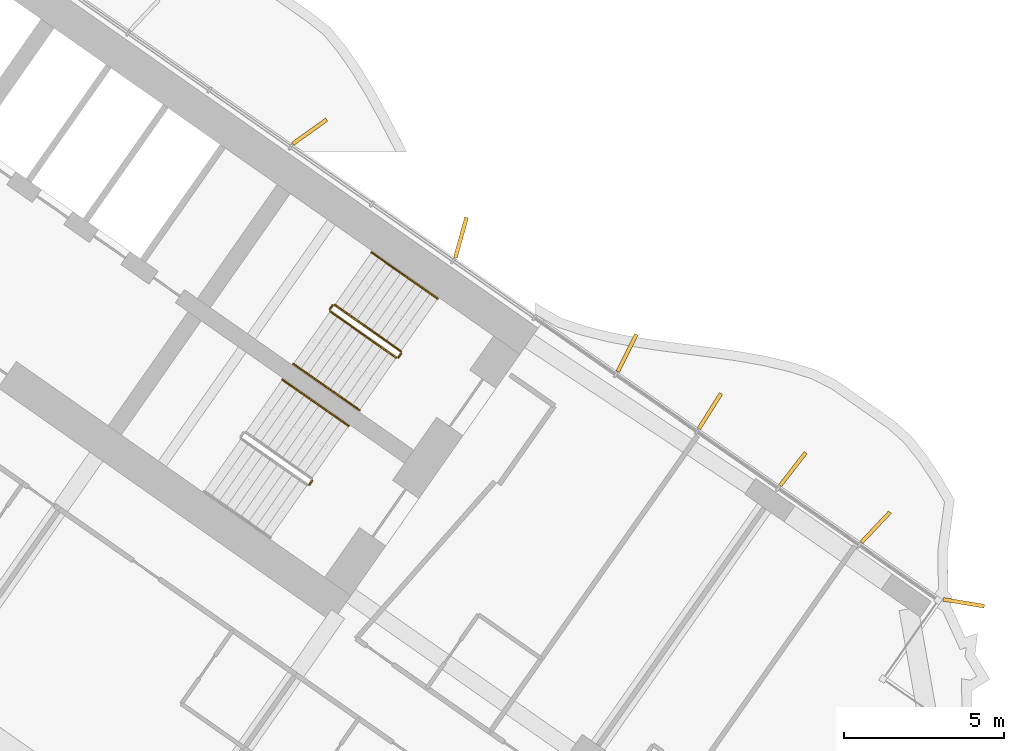
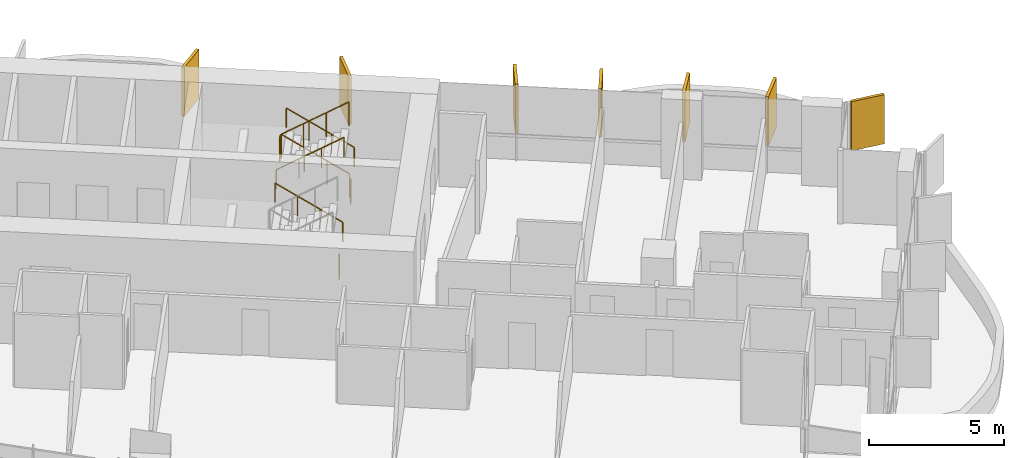
# One storey, part 23 of 23: 8 railings, 7 shading devices.
"""IFC4 building model written with IfcOpenShell, lengths in metres."""

from ifc_helpers import new_model, si_unit, direction, frame, origin, origin_2d, place, context, subcontext, project, spatial, rectangle, circle, extrude, material, layer, layer_set, type_object, element, save


model = new_model("IFC4")

# Units and contexts
model_context = context("Model", 3, precision=1e-05, world=origin(), true_north=direction((0.0, 1.0)))
body_context = subcontext(model_context, "Body", "Model", "MODEL_VIEW")
ifc_project = project(units=[si_unit("LENGTHUNIT", "METRE"), si_unit("AREAUNIT", "SQUARE_METRE"), si_unit("VOLUMEUNIT", "CUBIC_METRE"), si_unit("PLANEANGLEUNIT", "RADIAN"), si_unit("MASSUNIT", "GRAM", prefix="KILO")], contexts=[model_context])

# Site, building, storey
site_placement = place(None, origin())
site = spatial("IfcSite", under=ifc_project, at=site_placement, CompositionType="ELEMENT")
building_placement = place(site_placement, origin())
building = spatial("IfcBuilding", under=site, at=building_placement, Name="Tel Ilan Convention Tower", CompositionType="ELEMENT")
storey_placement = place(building_placement, frame((0.0, 0.0, 94.10009765625)))
storey = spatial("IfcBuildingStorey", under=building, at=storey_placement, Name="L19", CompositionType="ELEMENT", Elevation=94.10009765625)

# Shading devices
ifc_material_1 = material(Name="Aluminium, bronze anodised", Category="aluminium")
ifc_layer = layer(ifc_material_1, 0.1201171875)
ifc_layer_set = layer_set([ifc_layer], Name="FIN BRONZE 1300x120")
shading_device_type = type_object("IfcShadingDeviceType", Name="FIN BRONZE 1300x120", PredefinedType="USERDEFINED", material=ifc_layer_set)
for number, where, z_axis, x_axis, name in (
    (1, (25.5546875, -4.303466796875, 1.10009765625), (0.0, 0.0, 1.0), (0.268172612768, 0.963370878614, 0.0), "FIN"),
    (2, (20.83544921875, -0.9990234375, 1.10009765625), (0.0, 0.0, 1.0), (0.813552070258, 0.581492071294, 0.0), "FIN"),
    (3, (41.251220703125, -15.70703125, 1.10009765625), (0.0, 0.0, 1.0), (0.986445172547, -0.16409119891, 0.0), "FIN"),
    (4, (38.504638671875, -13.347900390625, 1.10009765625), (0.0, 0.0, 1.0), (0.686241637865, 0.727373641577, 0.0), "FIN"),
    (5, (35.91650390625, -11.535400390625, 1.10009765625), (0.0, 0.0, 1.0), (0.612600545196, 0.790392669516, 0.0), "FIN"),
    (6, (33.327880859375, -9.722900390625, 1.10009765625), (0.0, 0.0, 1.0), (0.533204432798, 0.845986425922, 0.0), "FIN"),
    (7, (30.739501953125, -7.91064453125, 1.10009765625), (0.0, 0.0, 1.0), (0.448799180206, 0.893632640321, 0.0), "FIN"),
):
    element("IfcShadingDevice", number, at=place(storey_placement, frame(where, z_axis=z_axis, x_axis=x_axis)), inside=storey, type_object=shading_device_type, Name=name, ObjectType="FIN", PredefinedType="USERDEFINED", context=body_context, shape_type="SweptSolid", body=[
        extrude(rectangle(XDim=1.300048828125, YDim=0.1201171875, at=origin_2d()), origin(), (0.0, 0.0, 1.0), 2.219970703125),
    ])

# Railings
ifc_material_2 = material(Name="Stainless Steel Grade 316", Category="steel")
railing_type_1 = type_object("IfcRailingType", Name="Stainless Steel Stair Guard 1100 mm", PredefinedType="GUARDRAIL", material=ifc_material_2)
railing_1_placement = place(storey_placement, frame((23.6787109375, -7.8515625, 0.179931640625)))
element("IfcRailing", 8, at=railing_1_placement, inside=storey, type_object=railing_type_1, Name="L19 S3 stair guard 1", PredefinedType="GUARDRAIL", context=body_context, shape_type="SweptSolid", body=[
    extrude(circle(Radius=0.02392578125, at=origin_2d()), frame((0.0, 0.0, 1.076171875), z_axis=(-0.689043377453, 0.48253410265, 0.540721798865), x_axis=(-0.573624882958, -0.819118119475, 0.0)), (0.0, 0.0, 1.0), 2.995849609375),
    extrude(circle(Radius=0.02099609375, at=origin_2d()), origin(), (0.0, 0.0, 1.0), 1.052001953125),
    extrude(circle(Radius=0.02099609375, at=origin_2d()), frame((-0.68798828125, 0.48193359375, 0.5400390625)), (0.0, 0.0, 1.0), 1.052001953125),
    extrude(circle(Radius=0.02099609375, at=origin_2d()), frame((-1.376220703125, 0.963623046875, 1.079833984375)), (0.0, 0.0, 1.0), 1.052001953125),
    extrude(circle(Radius=0.02099609375, at=origin_2d()), frame((-2.064208984375, 1.445556640625, 1.619873046875)), (0.0, 0.0, 1.0), 1.052001953125),
])
railing_2_placement = place(storey_placement, frame((21.544921875, -6.41845703125, 1.7998046875)))
element("IfcRailing", 9, at=railing_2_placement, inside=storey, type_object=railing_type_1, Name="L19 S3 stair guard 2", PredefinedType="GUARDRAIL", context=body_context, shape_type="SweptSolid", body=[
    extrude(circle(Radius=0.02392578125, at=origin_2d()), frame((0.0, 0.0, 1.076171875), z_axis=(-0.573353020881, -0.819308436089, 0.0), x_axis=(0.819308436089, -0.573353020881, 0.0)), (0.0, 0.0, 1.0), 0.14990234375),
    extrude(circle(Radius=0.02099609375, at=origin_2d()), origin(), (0.0, 0.0, 1.0), 1.052001953125),
    extrude(circle(Radius=0.02099609375, at=origin_2d()), frame((-0.0859375, -0.122802734375, 0.0)), (0.0, 0.0, 1.0), 1.052001953125),
])
railing_3_placement = place(storey_placement, frame((21.47119140625, -6.61083984375, 1.97998046875)))
element("IfcRailing", 10, at=railing_3_placement, inside=storey, type_object=railing_type_1, Name="L19 S3 stair guard 3", PredefinedType="GUARDRAIL", context=body_context, shape_type="SweptSolid", body=[
    extrude(circle(Radius=0.02392578125, at=origin_2d()), frame((0.0, 0.0, 1.076171875), z_axis=(0.689043377453, -0.48253410265, 0.540721798865), x_axis=(0.573624882958, 0.819118119475, 0.0)), (0.0, 0.0, 1.0), 2.995849609375),
    extrude(circle(Radius=0.02099609375, at=origin_2d()), origin(), (0.0, 0.0, 1.0), 1.052001953125),
    extrude(circle(Radius=0.02099609375, at=origin_2d()), frame((0.68798828125, -0.48193359375, 0.5400390625)), (0.0, 0.0, 1.0), 1.052001953125),
    extrude(circle(Radius=0.02099609375, at=origin_2d()), frame((1.376220703125, -0.963623046875, 1.079833984375)), (0.0, 0.0, 1.0), 1.052001953125),
    extrude(circle(Radius=0.02099609375, at=origin_2d()), frame((2.064208984375, -1.445556640625, 1.619873046875)), (0.0, 0.0, 1.0), 1.052001953125),
])
railing_4_placement = place(storey_placement, frame((23.691162109375, -7.921142578125, 0.0)))
element("IfcRailing", 11, at=railing_4_placement, inside=storey, type_object=railing_type_1, Name="L19 S3 stair guard 4", PredefinedType="GUARDRAIL", context=body_context, shape_type="SweptSolid", body=[
    extrude(circle(Radius=0.02392578125, at=origin_2d()), frame((0.0, 0.0, 1.076171875), z_axis=(-0.574444878118, -0.818543268254, 0.0), x_axis=(0.818543268254, -0.574444878118, 0.0)), (0.0, 0.0, 1.0), 0.150146484375),
    extrude(circle(Radius=0.02099609375, at=origin_2d()), origin(), (0.0, 0.0, 1.0), 1.052001953125),
    extrude(circle(Radius=0.02099609375, at=origin_2d()), frame((-0.086181640625, -0.122802734375, 0.0)), (0.0, 0.0, 1.0), 1.052001953125),
])
railing_5_placement = place(storey_placement, frame((20.9091796875, -11.89404296875, 0.0)))
element("IfcRailing", 12, at=railing_5_placement, inside=storey, type_object=railing_type_1, Name="L19 S4 stair guard 4", PredefinedType="GUARDRAIL", context=body_context, shape_type="SweptSolid", body=[
    extrude(circle(Radius=0.02392578125, at=origin_2d()), frame((0.0, 0.0, 1.076171875), z_axis=(-0.573353020881, -0.819308436089, 0.0), x_axis=(0.819308436089, -0.573353020881, 0.0)), (0.0, 0.0, 1.0), 0.14990234375),
    extrude(circle(Radius=0.02099609375, at=origin_2d()), origin(), (0.0, 0.0, 1.0), 1.052001953125),
    extrude(circle(Radius=0.02099609375, at=origin_2d()), frame((-0.0859375, -0.122802734375, 0.0)), (0.0, 0.0, 1.0), 1.052001953125),
])
ifc_material_3 = material(Name="Stainless Steel Grade 316", Category="steel")
railing_type_2 = type_object("IfcRailingType", Name="Stainless Steel Stair Handrail 900 mm", PredefinedType="HANDRAIL", material=ifc_material_3)
railing_6_placement = place(storey_placement, frame((24.825927734375, -6.213134765625, 0.179931640625)))
element("IfcRailing", 13, at=railing_6_placement, inside=storey, type_object=railing_type_2, Name="L19 S3 stair handrail 1", PredefinedType="HANDRAIL", context=body_context, shape_type="SweptSolid", body=[
    extrude(circle(Radius=0.02392578125, at=origin_2d()), frame((0.0, 0.0, 0.8759765625), z_axis=(-0.68907047291, 0.482471578903, 0.540743061828), x_axis=(-0.573559875649, -0.819163639968, 0.0)), (0.0, 0.0, 1.0), 2.99560546875),
    extrude(circle(Radius=0.02099609375, at=origin_2d()), origin(), (0.0, 0.0, 1.0), 0.851806640625),
    extrude(circle(Radius=0.02099609375, at=origin_2d()), frame((-0.68798828125, 0.481689453125, 0.5400390625)), (0.0, 0.0, 1.0), 0.851806640625),
    extrude(circle(Radius=0.02099609375, at=origin_2d()), frame((-1.376220703125, 0.963623046875, 1.079833984375)), (0.0, 0.0, 1.0), 0.851806640625),
    extrude(circle(Radius=0.02099609375, at=origin_2d()), frame((-2.064208984375, 1.4453125, 1.619873046875)), (0.0, 0.0, 1.0), 0.851806640625),
])
railing_7_placement = place(storey_placement, frame((20.323974609375, -8.249267578125, 1.97998046875)))
element("IfcRailing", 14, at=railing_7_placement, inside=storey, type_object=railing_type_2, Name="L19 S3 stair handrail 2", PredefinedType="HANDRAIL", context=body_context, shape_type="SweptSolid", body=[
    extrude(circle(Radius=0.02392578125, at=origin_2d()), frame((0.0, 0.0, 0.8759765625), z_axis=(0.68907047291, -0.482471578903, 0.540743061828), x_axis=(0.573559875649, 0.819163639968, 0.0)), (0.0, 0.0, 1.0), 2.99560546875),
    extrude(circle(Radius=0.02099609375, at=origin_2d()), origin(), (0.0, 0.0, 1.0), 0.851806640625),
    extrude(circle(Radius=0.02099609375, at=origin_2d()), frame((0.68798828125, -0.481689453125, 0.5400390625)), (0.0, 0.0, 1.0), 0.851806640625),
    extrude(circle(Radius=0.02099609375, at=origin_2d()), frame((1.376220703125, -0.963623046875, 1.079833984375)), (0.0, 0.0, 1.0), 0.851806640625),
    extrude(circle(Radius=0.02099609375, at=origin_2d()), frame((2.064208984375, -1.4453125, 1.619873046875)), (0.0, 0.0, 1.0), 0.851806640625),
])
railing_8_placement = place(storey_placement, frame((22.044189453125, -10.18603515625, 0.179931640625)))
element("IfcRailing", 15, at=railing_8_placement, inside=storey, type_object=railing_type_2, Name="L19 S4 stair handrail 1", PredefinedType="HANDRAIL", context=body_context, shape_type="SweptSolid", body=[
    extrude(circle(Radius=0.02392578125, at=origin_2d()), frame((0.0, 0.0, 0.8759765625), z_axis=(-0.689113270881, 0.482444484817, 0.540712695399), x_axis=(-0.573514357932, -0.81919550856, 0.0)), (0.0, 0.0, 1.0), 2.995849609375),
    extrude(circle(Radius=0.02099609375, at=origin_2d()), origin(), (0.0, 0.0, 1.0), 0.851806640625),
    extrude(circle(Radius=0.02099609375, at=origin_2d()), frame((-0.688232421875, 0.481689453125, 0.5400390625)), (0.0, 0.0, 1.0), 0.851806640625),
    extrude(circle(Radius=0.02099609375, at=origin_2d()), frame((-1.376220703125, 0.963623046875, 1.079833984375)), (0.0, 0.0, 1.0), 0.851806640625),
    extrude(circle(Radius=0.02099609375, at=origin_2d()), frame((-2.064453125, 1.4453125, 1.619873046875)), (0.0, 0.0, 1.0), 0.851806640625),
])

save(model, "model.ifc")
